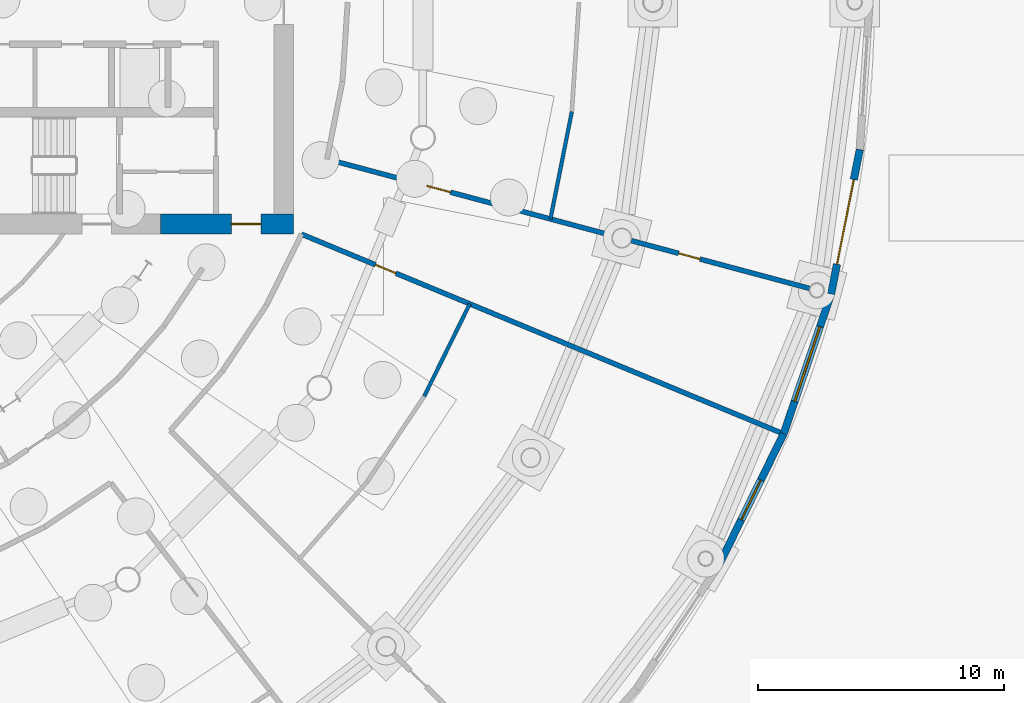
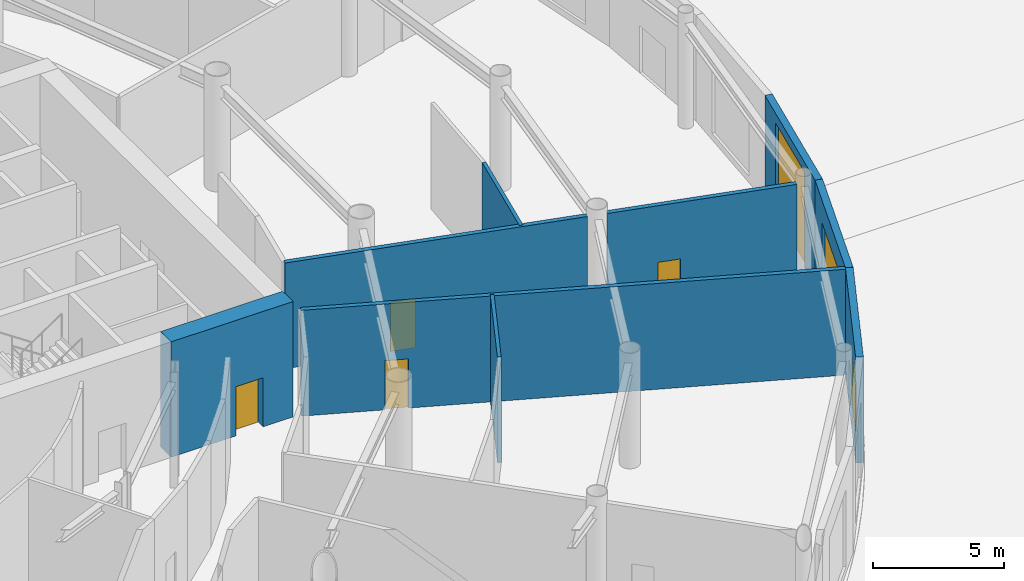
# One storey, part 21 of 41: 9 walls, 6 doors, 1 window, 7 openings.
"""IFC4 building model written with IfcOpenShell, lengths in metres."""

from ifc_helpers import new_model, si_unit, direction, frame, frame_2d, origin, place, context, subcontext, project, spatial, rectangle, extrude, material, layer, layer_set, type_object, element, fill, save


model = new_model("IFC4")

# Units and contexts
model_context = context("Model", 3, precision=1e-05, world=origin(), true_north=direction((0.0, 1.0)))
body_context = subcontext(model_context, "Body", "Model", "MODEL_VIEW")
ifc_project = project(units=[si_unit("LENGTHUNIT", "METRE"), si_unit("AREAUNIT", "SQUARE_METRE"), si_unit("VOLUMEUNIT", "CUBIC_METRE"), si_unit("PLANEANGLEUNIT", "RADIAN"), si_unit("MASSUNIT", "GRAM", prefix="KILO")], contexts=[model_context])

# Site, building, storey
site_placement = place(None, origin())
site = spatial("IfcSite", under=ifc_project, at=site_placement, CompositionType="ELEMENT")
building_placement = place(site_placement, origin())
building = spatial("IfcBuilding", under=site, at=building_placement, Name="Maasbend Ring Residences", CompositionType="ELEMENT")
storey_placement = place(building_placement, origin())
storey = spatial("IfcBuildingStorey", under=building, at=storey_placement, Name="L00", CompositionType="ELEMENT", Elevation=0.0)

# Wall, opening, door
ifc_material_1 = material(Name="Concrete C70/85", Category="concrete")
ifc_layer_1 = layer(ifc_material_1, 0.800048828125)
ifc_layer_set_1 = layer_set([ifc_layer_1], Name="Concrete C70/85")
wall_type_1 = type_object("IfcWallType", Name="CORE WALL 800 C70/85", PredefinedType="SHEAR", material=ifc_layer_set_1)
wall_1_placement = place(storey_placement, frame((17.0, -9.0, 0.0), z_axis=(0.0, 0.0, 1.0), x_axis=(1.0, 0.0, 0.0)))
wall_1 = element("IfcWall", 1, at=wall_1_placement, inside=storey, type_object=wall_type_1, Name="L00 core E wall PSB", PredefinedType="SHEAR", context=body_context, shape_type="SweptSolid", body=[
    extrude(rectangle(XDim=5.39990234375, YDim=0.800048828125, at=frame_2d((2.699951171875, 0.0))), origin(), (0.0, 0.0, 1.0), 5.39990234375),
])
opening_1_placement = place(wall_1_placement, frame((2.875, 0.0, 0.0)))
opening_1 = element("IfcOpeningElement", 2, at=opening_1_placement, cuts=wall_1, Name="Opening D-E0016", PredefinedType="OPENING", context=body_context, shape_type="SweptSolid", body=[
    extrude(rectangle(XDim=1.199951171875, YDim=2.300048828125, at=frame_2d((0.60009765625, 1.14990234375))), frame((0.0, 0.41015625, 0.0), z_axis=(0.0, -1.0, 0.0), x_axis=(1.0, 0.0, 0.0)), (0.0, 0.0, 1.0), 0.820068359375),
])
ifc_material_2 = material(Name="Steel, powder coated", Category="steel")
door_type_1 = type_object("IfcDoorType", Name="CORRIDOR DOOR 1200 X 2300 FD30S", OperationType="NOTDEFINED", PredefinedType="DOOR", material=ifc_material_2)
door_1_placement = place(opening_1_placement, origin())
door_1 = element("IfcDoor", 3, at=door_1_placement, inside=storey, type_object=door_type_1, Name="Corridor door L00", OperationType="SINGLE_SWING_LEFT", OverallHeight=2.300048828125, OverallWidth=1.199951171875, PredefinedType="DOOR", context=body_context, shape_type="SweptSolid", body=[
    extrude(rectangle(XDim=1.199951171875, YDim=2.300048828125, at=frame_2d((0.60009765625, 1.14990234375))), frame((0.0, 0.02490234375, 0.0), z_axis=(0.0, -1.0, 0.0), x_axis=(1.0, 0.0, 0.0)), (0.0, 0.0, 1.0), 0.050048828125),
])
fill(opening_1, door_1)

ifc_material_3 = material(Name="Concrete C30/37", Category="concrete")
ifc_layer_2 = layer(ifc_material_3, 0.199951171875)
ifc_layer_set_2 = layer_set([ifc_layer_2], Name="Concrete C30/37")
wall_type_2 = type_object("IfcWallType", Name="CORRIDOR WALL 200 CONCRETE", PredefinedType="PARTITIONING", material=ifc_layer_set_2)
wall_2_placement = place(storey_placement, frame((22.72607421875, -9.416015625, 0.0), z_axis=(0.0, 0.0, 1.0), x_axis=(0.923857892323, -0.382735672225, 0.0)))
wall_2 = element("IfcWall", 4, at=wall_2_placement, inside=storey, type_object=wall_type_2, Name="U-L00-w125", PredefinedType="PARTITIONING", context=body_context, shape_type="SweptSolid", body=[
    extrude(rectangle(XDim=21.1005859375, YDim=0.199951171875, at=frame_2d((10.55029296875, 0.0))), origin(), (0.0, 0.0, 1.0), 4.949951171875),
])
opening_2_placement = place(wall_2_placement, frame((3.25, 0.0, 0.0)))
opening_2 = element("IfcOpeningElement", 5, at=opening_2_placement, cuts=wall_2, Name="Opening D-0043", PredefinedType="OPENING", context=body_context, shape_type="SweptSolid", body=[
    extrude(rectangle(XDim=0.89990234375, YDim=2.300048828125, at=frame_2d((0.449951171875, 1.14990234375))), frame((0.0, 0.10986328125, 0.0), z_axis=(0.0, -1.0, 0.0), x_axis=(1.0, 0.0, 0.0)), (0.0, 0.0, 1.0), 0.219970703125),
])
ifc_material_4 = material(Name="Steel, fire-rated, painted", Category="steel")
door_type_2 = type_object("IfcDoorType", Name="SERVICE DOOR 900 X 2300 FIRE-RATED", OperationType="NOTDEFINED", PredefinedType="DOOR", material=ifc_material_4)
door_2_placement = place(opening_2_placement, origin())
door_2 = element("IfcDoor", 6, at=door_2_placement, inside=storey, type_object=door_type_2, Name="D-0043", OperationType="SINGLE_SWING_LEFT", OverallHeight=2.300048828125, OverallWidth=0.89990234375, PredefinedType="DOOR", context=body_context, shape_type="SweptSolid", body=[
    extrude(rectangle(XDim=0.89990234375, YDim=2.300048828125, at=frame_2d((0.449951171875, 1.14990234375))), frame((0.0, 0.02490234375, 0.0), z_axis=(0.0, -1.0, 0.0), x_axis=(1.0, 0.0, 0.0)), (0.0, 0.0, 1.0), 0.050048828125),
])
fill(opening_2, door_2)

wall_3_placement = place(storey_placement, frame((23.761962890625, -6.366943359375, 0.0), z_axis=(0.0, 0.0, 1.0), x_axis=(0.965922895566, -0.258829982463, 0.0)))
wall_3 = element("IfcWall", 7, at=wall_3_placement, inside=storey, type_object=wall_type_2, Name="U-L00-w126", PredefinedType="PARTITIONING", context=body_context, shape_type="SweptSolid", body=[
    extrude(rectangle(XDim=12.0, YDim=0.199951171875, at=frame_2d((6.0, 0.0))), origin(), (0.0, 0.0, 1.0), 4.949951171875),
])
opening_3_placement = place(wall_3_placement, frame((4.199951171875, 0.0, 0.0)))
opening_3 = element("IfcOpeningElement", 8, at=opening_3_placement, cuts=wall_3, Name="Opening D-0045", PredefinedType="OPENING", context=body_context, shape_type="SweptSolid", body=[
    extrude(rectangle(XDim=1.0, YDim=2.300048828125, at=frame_2d((0.5, 1.14990234375))), frame((0.0, 0.10986328125, 0.0), z_axis=(0.0, -1.0, 0.0), x_axis=(1.0, 0.0, 0.0)), (0.0, 0.0, 1.0), 0.219970703125),
])
ifc_material_5 = material(Name="Timber, painted", Category="wood")
door_type_3 = type_object("IfcDoorType", Name="ROOM DOOR 1000 X 2300", OperationType="NOTDEFINED", PredefinedType="DOOR", material=ifc_material_5)
door_3_placement = place(opening_3_placement, origin())
door_3 = element("IfcDoor", 9, at=door_3_placement, inside=storey, type_object=door_type_3, Name="D-0045", OperationType="SINGLE_SWING_LEFT", OverallHeight=2.300048828125, OverallWidth=1.0, PredefinedType="DOOR", context=body_context, shape_type="SweptSolid", body=[
    extrude(rectangle(XDim=1.0, YDim=2.300048828125, at=frame_2d((0.5, 1.14990234375))), frame((0.0, 0.02490234375, 0.0), z_axis=(0.0, -1.0, 0.0), x_axis=(1.0, 0.0, 0.0)), (0.0, 0.0, 1.0), 0.050048828125),
])
fill(opening_3, door_3)

wall_4_placement = place(storey_placement, frame((36.125, -9.679931640625, 0.0), z_axis=(0.0, 0.0, 1.0), x_axis=(0.965931198614, -0.25879899448, 0.0)))
wall_4 = element("IfcWall", 10, at=wall_4_placement, inside=storey, type_object=wall_type_2, Name="U-L00-w133", PredefinedType="PARTITIONING", context=body_context, shape_type="SweptSolid", body=[
    extrude(rectangle(XDim=7.500732421875, YDim=0.199951171875, at=frame_2d((3.75048828125, 0.0))), origin(), (0.0, 0.0, 1.0), 4.949951171875),
])
opening_4_placement = place(wall_4_placement, frame((1.993896484375, 0.0, 0.0)))
opening_4 = element("IfcOpeningElement", 11, at=opening_4_placement, cuts=wall_4, Name="Opening D-0046", PredefinedType="OPENING", context=body_context, shape_type="SweptSolid", body=[
    extrude(rectangle(XDim=0.89990234375, YDim=2.300048828125, at=frame_2d((0.449951171875, 1.14990234375))), frame((0.0, 0.10986328125, 0.0), z_axis=(0.0, -1.0, 0.0), x_axis=(1.0, 0.0, 0.0)), (0.0, 0.0, 1.0), 0.219970703125),
])
door_4_placement = place(opening_4_placement, origin())
door_4 = element("IfcDoor", 12, at=door_4_placement, inside=storey, type_object=door_type_2, Name="D-0046", OperationType="SINGLE_SWING_LEFT", OverallHeight=2.300048828125, OverallWidth=0.89990234375, PredefinedType="DOOR", context=body_context, shape_type="SweptSolid", body=[
    extrude(rectangle(XDim=0.89990234375, YDim=2.300048828125, at=frame_2d((0.449951171875, 1.14990234375))), frame((0.0, 0.02490234375, 0.0), z_axis=(0.0, -1.0, 0.0), x_axis=(1.0, 0.0, 0.0)), (0.0, 0.0, 1.0), 0.050048828125),
])
fill(opening_4, door_4)

ifc_material_6 = material(Name="Pale anodised aluminium panel", Category="aluminium")
ifc_layer_3 = layer(ifc_material_6, 0.300048828125)
ifc_layer_set_3 = layer_set([ifc_layer_3], Name="EW-BASE")
wall_type_3 = type_object("IfcWallType", Name="EW-BASE", PredefinedType="SOLIDWALL", material=ifc_layer_set_3)
wall_5_placement = place(storey_placement, frame((39.6640625, -22.89990234375, 0.0), z_axis=(0.0, 0.0, 1.0), x_axis=(0.44233289833, 0.896850939151, 0.0)))
wall_5 = element("IfcWall", 13, at=wall_5_placement, inside=storey, type_object=wall_type_3, Name="Base block wall 45", PredefinedType="SOLIDWALL", context=body_context, shape_type="SweptSolid", body=[
    extrude(rectangle(XDim=5.99072265625, YDim=0.300048828125, at=frame_2d((2.995361328125, 0.0))), origin(), (0.0, 0.0, 1.0), 4.949951171875),
])
opening_5_placement = place(wall_5_placement, frame((2.095458984375, 0.0, 0.0)))
opening_5 = element("IfcOpeningElement", 14, at=opening_5_placement, cuts=wall_5, Name="Opening D-EX", PredefinedType="OPENING", context=body_context, shape_type="SweptSolid", body=[
    extrude(rectangle(XDim=1.800048828125, YDim=2.199951171875, at=frame_2d((0.89990234375, 1.10009765625))), frame((0.0, 0.16015625, 0.0), z_axis=(0.0, -1.0, 0.0), x_axis=(1.0, 0.0, 0.0)), (0.0, 0.0, 1.0), 0.320068359375),
])
ifc_material_7 = material(Name="Aluminium and clear glass", Category="aluminium")
door_type_4 = type_object("IfcDoorType", Name="D-EX", OperationType="DOUBLE_DOOR_SINGLE_SWING", PredefinedType="DOOR", material=ifc_material_7)
door_5_placement = place(opening_5_placement, origin())
door_5 = element("IfcDoor", 15, at=door_5_placement, inside=storey, type_object=door_type_4, Name="Exit door 45", OperationType="SINGLE_SWING_LEFT", OverallHeight=2.199951171875, OverallWidth=1.800048828125, PredefinedType="DOOR", context=body_context, shape_type="SweptSolid", body=[
    extrude(rectangle(XDim=1.800048828125, YDim=2.199951171875, at=frame_2d((0.89990234375, 1.10009765625))), frame((0.0, 0.02490234375, 0.0), z_axis=(0.0, -1.0, 0.0), x_axis=(1.0, 0.0, 0.0)), (0.0, 0.0, 1.0), 0.050048828125),
])
fill(opening_5, door_5)

# Wall, opening, window
wall_6_placement = place(storey_placement, frame((42.31396484375, -17.527099609375, 0.0), z_axis=(0.0, 0.0, 1.0), x_axis=(0.321333542675, 0.946966078776, 0.0)))
wall_6 = element("IfcWall", 16, at=wall_6_placement, inside=storey, type_object=wall_type_3, Name="Base block wall 46", PredefinedType="SOLIDWALL", context=body_context, shape_type="SweptSolid", body=[
    extrude(rectangle(XDim=5.99072265625, YDim=0.300048828125, at=frame_2d((2.995361328125, 0.0))), origin(), (0.0, 0.0, 1.0), 4.949951171875),
])
opening_6_placement = place(wall_6_placement, frame((1.3955078125, 0.0, 0.300048828125)))
opening_6 = element("IfcOpeningElement", 17, at=opening_6_placement, cuts=wall_6, Name="Opening W-SF", PredefinedType="OPENING", context=body_context, shape_type="SweptSolid", body=[
    extrude(rectangle(XDim=3.199951171875, YDim=3.60009765625, at=frame_2d((1.60009765625, 1.800048828125))), frame((0.0, 0.16015625, 0.0), z_axis=(0.0, -1.0, 0.0), x_axis=(1.0, 0.0, 0.0)), (0.0, 0.0, 1.0), 0.320068359375),
])
ifc_material_8 = material(Name="Aluminium and clear glass", Category="aluminium")
window_type = type_object("IfcWindowType", Name="W-SF", PartitioningType="SINGLE_PANEL", PredefinedType="WINDOW", material=ifc_material_8)
window_placement = place(opening_6_placement, origin())
window = element("IfcWindow", 18, at=window_placement, inside=storey, type_object=window_type, Name="Shopfront 46", OverallHeight=3.60009765625, OverallWidth=3.199951171875, PartitioningType="SINGLE_PANEL", PredefinedType="WINDOW", context=body_context, shape_type="SweptSolid", body=[
    extrude(rectangle(XDim=3.199951171875, YDim=3.60009765625, at=frame_2d((1.60009765625, 1.800048828125))), frame((0.0, 0.030029296875, 0.0), z_axis=(0.0, -1.0, 0.0), x_axis=(1.0, 0.0, 0.0)), (0.0, 0.0, 1.0), 0.06005859375),
])
fill(opening_6, window)

# Wall, opening, door
wall_7_placement = place(storey_placement, frame((44.239013671875, -11.85400390625, 0.0), z_axis=(0.0, 0.0, 1.0), x_axis=(0.195112945602, 0.980780780021, 0.0)))
wall_7 = element("IfcWall", 19, at=wall_7_placement, inside=storey, type_object=wall_type_3, Name="Base block wall 47", PredefinedType="SOLIDWALL", context=body_context, shape_type="SweptSolid", body=[
    extrude(rectangle(XDim=5.9912109375, YDim=0.300048828125, at=frame_2d((2.99560546875, 0.0))), origin(), (0.0, 0.0, 1.0), 4.949951171875),
])
opening_7_placement = place(wall_7_placement, frame((1.245361328125, 0.0, 0.0)))
opening_7 = element("IfcOpeningElement", 20, at=opening_7_placement, cuts=wall_7, Name="Opening D-LD", PredefinedType="OPENING", context=body_context, shape_type="SweptSolid", body=[
    extrude(rectangle(XDim=3.5, YDim=4.5, at=frame_2d((1.75, 2.25))), frame((0.0, 0.16015625, 0.0), z_axis=(0.0, -1.0, 0.0), x_axis=(1.0, 0.0, 0.0)), (0.0, 0.0, 1.0), 0.320068359375),
])
ifc_material_9 = material(Name="Galvanised steel", Category="steel")
door_type_5 = type_object("IfcDoorType", Name="D-LD", OperationType="ROLLINGUP", PredefinedType="DOOR", material=ifc_material_9)
door_6_placement = place(opening_7_placement, origin())
door_6 = element("IfcDoor", 21, at=door_6_placement, inside=storey, type_object=door_type_5, Name="Loading bay door", OperationType="SINGLE_SWING_LEFT", OverallHeight=4.5, OverallWidth=3.5, PredefinedType="DOOR", context=body_context, shape_type="SweptSolid", body=[
    extrude(rectangle(XDim=3.5, YDim=4.5, at=frame_2d((1.75, 2.25))), frame((0.0, 0.02490234375, 0.0), z_axis=(0.0, -1.0, 0.0), x_axis=(1.0, 0.0, 0.0)), (0.0, 0.0, 1.0), 0.050048828125),
])
fill(opening_7, door_6)

# Walls
ifc_material_10 = material(Name="Gypsum board on steel studs", Category="steel")
ifc_layer_4 = layer(ifc_material_10, 0.14990234375)
ifc_layer_set_4 = layer_set([ifc_layer_4], Name="PARTITION 150 GYPSUM")
wall_type_4 = type_object("IfcWallType", Name="PARTITION 150 GYPSUM", PredefinedType="PARTITIONING", material=ifc_layer_set_4)
wall_8_placement = place(storey_placement, frame((32.841064453125, -8.800048828125, 0.0), z_axis=(0.0, 0.0, 1.0), x_axis=(0.195144853915, 0.980774431758, 0.0)))
element("IfcWall", 22, at=wall_8_placement, inside=storey, type_object=wall_type_4, Name="U-L00-w007", PredefinedType="PARTITIONING", context=body_context, shape_type="SweptSolid", body=[
    extrude(rectangle(XDim=4.447509765625, YDim=0.14990234375, at=frame_2d((2.2236328125, 0.0))), origin(), (0.0, 0.0, 1.0), 4.949951171875),
])
wall_9_placement = place(storey_placement, frame((27.712890625, -16.0, 0.0), z_axis=(0.0, 0.0, 1.0), x_axis=(0.442260347142, 0.896886718235, 0.0)))
element("IfcWall", 23, at=wall_9_placement, inside=storey, type_object=wall_type_4, Name="U-L00-w015", PredefinedType="PARTITIONING", context=body_context, shape_type="SweptSolid", body=[
    extrude(rectangle(XDim=4.185546875, YDim=0.14990234375, at=frame_2d((2.0927734375, 0.0))), origin(), (0.0, 0.0, 1.0), 4.949951171875),
])

save(model, "model.ifc")
